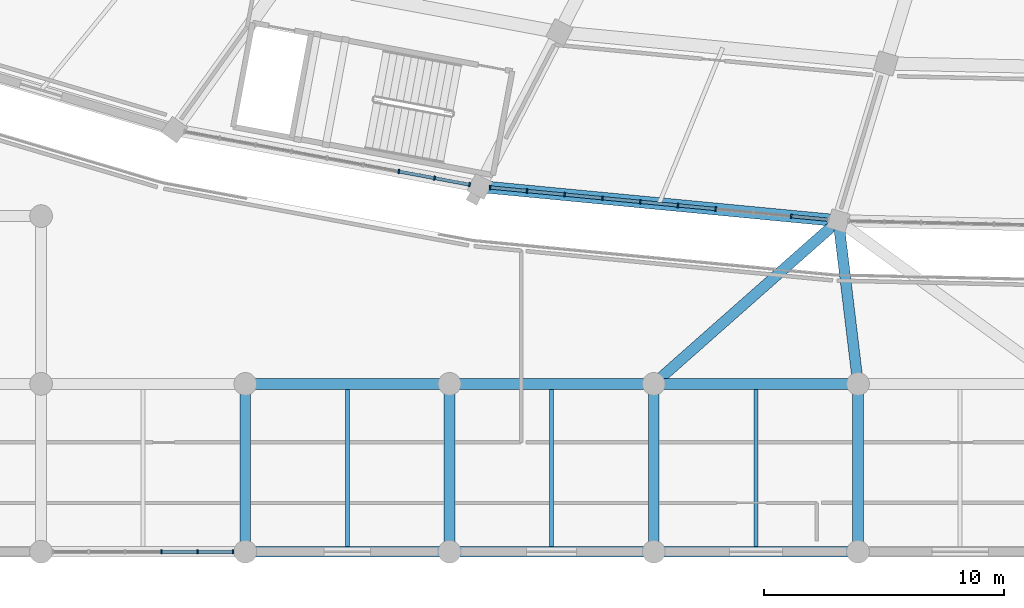
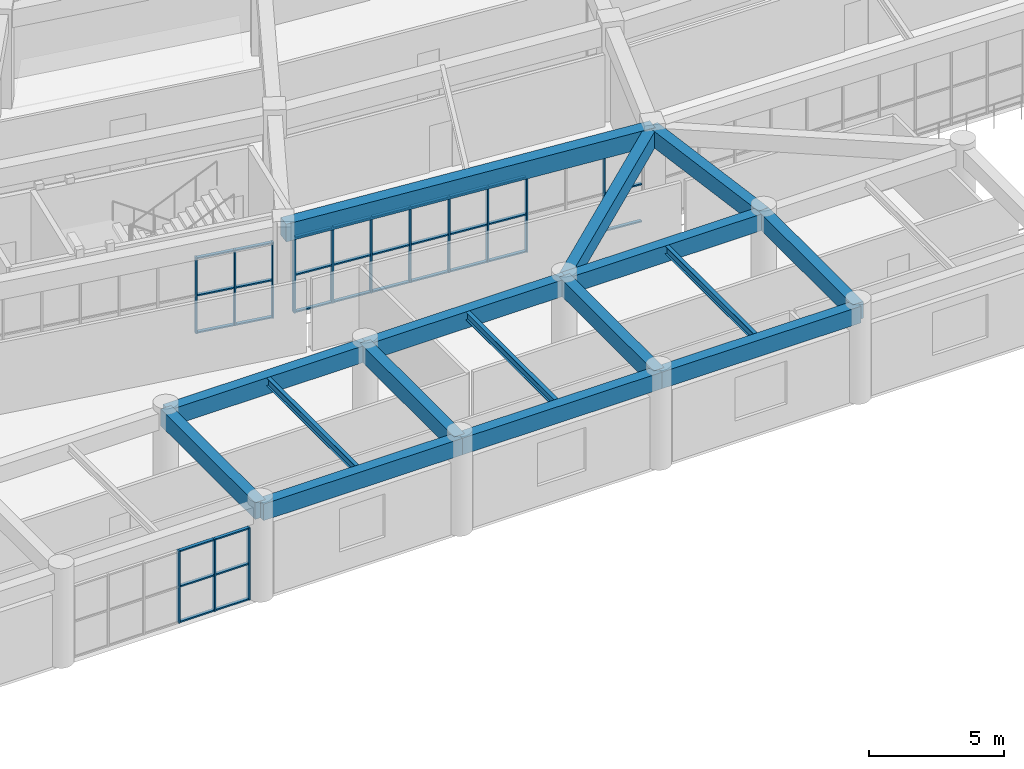
# One storey, part 20 of 145: 46 members, 16 beams, 3 elements without a shape of their own.
"""IFC4 building model written with IfcOpenShell, lengths in metres."""

from ifc_helpers import new_model, si_unit, direction, frame, origin, origin_2d, place, context, subcontext, project, spatial, rectangle, i_section, extrude, material, layer, layer_set, material_profile, profile_set, type_object, element, aggregate, save


model = new_model("IFC4")

# Units and contexts
model_context = context("Model", 3, precision=1e-05, world=origin(), true_north=direction((0.0, 1.0)))
body_context = subcontext(model_context, "Body", "Model", "MODEL_VIEW")
ifc_project = project(units=[si_unit("LENGTHUNIT", "METRE"), si_unit("AREAUNIT", "SQUARE_METRE"), si_unit("VOLUMEUNIT", "CUBIC_METRE"), si_unit("PLANEANGLEUNIT", "RADIAN"), si_unit("MASSUNIT", "GRAM", prefix="KILO")], contexts=[model_context])

# Site, building, storey
site_placement = place(None, origin())
site = spatial("IfcSite", under=ifc_project, at=site_placement, CompositionType="ELEMENT")
building_placement = place(site_placement, origin())
building = spatial("IfcBuilding", under=site, at=building_placement, Name="Mphavela Belvedere Stadium", CompositionType="ELEMENT")
storey_placement = place(building_placement, frame((0.0, 0.0, 10.199951171875)))
storey = spatial("IfcBuildingStorey", under=building, at=storey_placement, Name="L02", CompositionType="ELEMENT", Elevation=10.199951171875)

# Beams
ifc_material_1 = material(Name="Steel S355", Category="steel")
ifc_material_profile_1 = material_profile(ifc_material_1, i_section(OverallWidth=0.169921875, OverallDepth=0.360107421875, WebThickness=0.008056640625, FlangeThickness=0.0126953125, at=origin_2d()), Name="IPE 360")
ifc_profile_set_1 = profile_set([ifc_material_profile_1], Name="Steel S355")
beam_type_1 = type_object("IfcBeamType", Name="BM-JOIST-IPE360", PredefinedType="JOIST", material=ifc_profile_set_1)
for number, where, z_axis, x_axis, name in (
    (1, (72.407470703125, 0.22509765625, 4.06005859375), (0.0, 1.0, 0.0), (-1.0, 0.0, 0.0), "South Axial Triumphal Peristyle Portico secondary joist L02 9-1"),
    (2, (80.926025390625, 0.22509765625, 4.06005859375), (0.0, 1.0, 0.0), (-1.0, 0.0, 0.0), "South Axial Triumphal Peristyle Portico secondary joist L02 10-1"),
    (3, (89.444580078125, 0.22509765625, 4.06005859375), (0.0, 1.0, 0.0), (-1.0, 0.0, 0.0), "South Axial Triumphal Peristyle Portico secondary joist L02 11-1"),
):
    element("IfcBeam", number, at=place(storey_placement, frame(where, z_axis=z_axis, x_axis=x_axis)), inside=storey, type_object=beam_type_1, Name=name, PredefinedType="JOIST", context=body_context, shape_type="SweptSolid", body=[
        extrude(i_section(OverallWidth=0.169921875, OverallDepth=0.360107421875, WebThickness=0.008056640625, FlangeThickness=0.0126953125, at=origin_2d()), origin(), (0.0, 0.0, 1.0), 6.5498046875),
    ])
ifc_material_2 = material(Name="Concrete C40/50", Category="concrete")
ifc_material_profile_2 = material_profile(ifc_material_2, rectangle(XDim=0.449951171875, YDim=0.75, at=origin_2d()), Name="RC 450x750")
ifc_profile_set_2 = profile_set([ifc_material_profile_2], Name="Concrete C40/50")
beam_type_2 = type_object("IfcBeamType", Name="BM-RC450x750", PredefinedType="BEAM", material=ifc_profile_set_2)
beam_1_placement = place(storey_placement, frame((68.14794921875, 0.0, 3.864990234375), z_axis=(1.0, 0.0, 0.0), x_axis=(0.0, 1.0, 0.0)))
element("IfcBeam", 4, at=beam_1_placement, inside=storey, type_object=beam_type_2, Name="South Axial Triumphal Peristyle Portico entablature beam X L02 9-1", PredefinedType="BEAM", context=body_context, shape_type="SweptSolid", body=[
    extrude(rectangle(XDim=0.449951171875, YDim=0.75, at=origin_2d()), origin(), (0.0, 0.0, 1.0), 8.51904296875),
])
beam_2_placement = place(storey_placement, frame((68.14794921875, 0.0, 3.864990234375), z_axis=(0.0, 1.0, 0.0), x_axis=(-1.0, 0.0, 0.0)))
element("IfcBeam", 5, at=beam_2_placement, inside=storey, type_object=beam_type_2, Name="South Axial Triumphal Peristyle Portico entablature beam Y L02 9-1", PredefinedType="BEAM", context=body_context, shape_type="SweptSolid", body=[
    extrude(rectangle(XDim=0.449951171875, YDim=0.75, at=origin_2d()), origin(), (0.0, 0.0, 1.0), 7.0),
])
beam_3_placement = place(storey_placement, frame((68.14794921875, 7.0, 3.864990234375), z_axis=(1.0, 0.0, 0.0), x_axis=(0.0, 1.0, 0.0)))
element("IfcBeam", 6, at=beam_3_placement, inside=storey, type_object=beam_type_2, Name="South Axial Triumphal Peristyle Portico entablature beam X L02 9-2", PredefinedType="BEAM", context=body_context, shape_type="SweptSolid", body=[
    extrude(rectangle(XDim=0.449951171875, YDim=0.75, at=origin_2d()), origin(), (0.0, 0.0, 1.0), 8.51904296875),
])
beam_4_placement = place(storey_placement, frame((76.6669921875, 0.0, 3.864990234375), z_axis=(1.0, 0.0, 0.0), x_axis=(0.0, 1.0, 0.0)))
element("IfcBeam", 7, at=beam_4_placement, inside=storey, type_object=beam_type_2, Name="South Axial Triumphal Peristyle Portico entablature beam X L02 10-1", PredefinedType="BEAM", context=body_context, shape_type="SweptSolid", body=[
    extrude(rectangle(XDim=0.449951171875, YDim=0.75, at=origin_2d()), origin(), (0.0, 0.0, 1.0), 8.51806640625),
])
beam_5_placement = place(storey_placement, frame((76.6669921875, 0.0, 3.864990234375), z_axis=(0.0, 1.0, 0.0), x_axis=(-1.0, 0.0, 0.0)))
element("IfcBeam", 8, at=beam_5_placement, inside=storey, type_object=beam_type_2, Name="South Axial Triumphal Peristyle Portico entablature beam Y L02 10-1", PredefinedType="BEAM", context=body_context, shape_type="SweptSolid", body=[
    extrude(rectangle(XDim=0.449951171875, YDim=0.75, at=origin_2d()), origin(), (0.0, 0.0, 1.0), 7.0),
])
beam_6_placement = place(storey_placement, frame((76.6669921875, 7.0, 3.864990234375), z_axis=(1.0, 0.0, 0.0), x_axis=(0.0, 1.0, 0.0)))
element("IfcBeam", 9, at=beam_6_placement, inside=storey, type_object=beam_type_2, Name="South Axial Triumphal Peristyle Portico entablature beam X L02 10-2", PredefinedType="BEAM", context=body_context, shape_type="SweptSolid", body=[
    extrude(rectangle(XDim=0.449951171875, YDim=0.75, at=origin_2d()), origin(), (0.0, 0.0, 1.0), 8.51806640625),
])
beam_7_placement = place(storey_placement, frame((85.18505859375, 0.0, 3.864990234375), z_axis=(1.0, 0.0, 0.0), x_axis=(0.0, 1.0, 0.0)))
element("IfcBeam", 10, at=beam_7_placement, inside=storey, type_object=beam_type_2, Name="South Axial Triumphal Peristyle Portico entablature beam X L02 11-1", PredefinedType="BEAM", context=body_context, shape_type="SweptSolid", body=[
    extrude(rectangle(XDim=0.449951171875, YDim=0.75, at=origin_2d()), origin(), (0.0, 0.0, 1.0), 8.51904296875),
])
beam_8_placement = place(storey_placement, frame((85.18505859375, 0.0, 3.864990234375), z_axis=(0.0, 1.0, 0.0), x_axis=(-1.0, 0.0, 0.0)))
element("IfcBeam", 11, at=beam_8_placement, inside=storey, type_object=beam_type_2, Name="South Axial Triumphal Peristyle Portico entablature beam Y L02 11-1", PredefinedType="BEAM", context=body_context, shape_type="SweptSolid", body=[
    extrude(rectangle(XDim=0.449951171875, YDim=0.75, at=origin_2d()), origin(), (0.0, 0.0, 1.0), 7.0),
])
beam_9_placement = place(storey_placement, frame((85.18505859375, 7.0, 3.864990234375), z_axis=(1.0, 0.0, 0.0), x_axis=(0.0, 1.0, 0.0)))
element("IfcBeam", 12, at=beam_9_placement, inside=storey, type_object=beam_type_2, Name="South Axial Triumphal Peristyle Portico entablature beam X L02 11-2", PredefinedType="BEAM", context=body_context, shape_type="SweptSolid", body=[
    extrude(rectangle(XDim=0.449951171875, YDim=0.75, at=origin_2d()), origin(), (0.0, 0.0, 1.0), 8.51904296875),
])
beam_10_placement = place(storey_placement, frame((93.7041015625, 0.0, 3.864990234375), z_axis=(0.0, 1.0, 0.0), x_axis=(-1.0, 0.0, 0.0)))
element("IfcBeam", 13, at=beam_10_placement, inside=storey, type_object=beam_type_2, Name="South Axial Triumphal Peristyle Portico entablature beam Y L02 12-1", PredefinedType="BEAM", context=body_context, shape_type="SweptSolid", body=[
    extrude(rectangle(XDim=0.449951171875, YDim=0.75, at=origin_2d()), origin(), (0.0, 0.0, 1.0), 7.0),
])
beam_11_placement = place(storey_placement, frame((93.7041015625, 7.0, 3.864990234375), z_axis=(-0.119413444072, 0.99284461492, 0.0), x_axis=(-0.99284461492, -0.119413444072, 0.0)))
element("IfcBeam", 14, at=beam_11_placement, inside=storey, type_object=beam_type_2, Name="South Axial Triumphal Peristyle Portico bowl link girder L02-3", PredefinedType="BEAM", context=body_context, shape_type="SweptSolid", body=[
    extrude(rectangle(XDim=0.449951171875, YDim=0.75, at=origin_2d()), origin(), (0.0, 0.0, 1.0), 6.855224609375),
])
beam_12_placement = place(storey_placement, frame((85.18505859375, 7.0, 3.864990234375), z_axis=(0.749275353375, 0.662258593621, 0.0), x_axis=(-0.662258593621, 0.749275353375, 0.0)))
element("IfcBeam", 15, at=beam_12_placement, inside=storey, type_object=beam_type_2, Name="South Axial Triumphal Peristyle Portico bowl link girder L02-5", PredefinedType="BEAM", context=body_context, shape_type="SweptSolid", body=[
    extrude(rectangle(XDim=0.449951171875, YDim=0.75, at=origin_2d()), origin(), (0.0, 0.0, 1.0), 10.277099609375),
])
ifc_material_3 = material(Name="Concrete C40/50", Category="concrete")
ifc_material_profile_3 = material_profile(ifc_material_3, rectangle(XDim=0.5, YDim=0.800048828125, at=origin_2d()), Name="RC 500x800")
ifc_profile_set_3 = profile_set([ifc_material_profile_3], Name="Concrete C40/50")
beam_type_3 = type_object("IfcBeamType", Name="BM-SPANDREL-800", PredefinedType="SPANDREL", material=ifc_profile_set_3)
beam_13_placement = place(storey_placement, frame((77.92724609375, 15.232666015625, 3.85009765625), z_axis=(0.995483415661, -0.094935605244, 0.0), x_axis=(0.094935605244, 0.995483415661, 0.0)))
element("IfcBeam", 16, at=beam_13_placement, inside=storey, type_object=beam_type_3, Name="Circumferential girder L02 R4-35", PredefinedType="SPANDREL", context=body_context, shape_type="SweptSolid", body=[
    extrude(rectangle(XDim=0.5, YDim=0.800048828125, at=origin_2d()), origin(), (0.0, 0.0, 1.0), 15.026123046875),
])

# Curtain wall, members
ifc_material_4 = material(Name="Anodised bronze unitised curtain wall framing")
ifc_layer_1 = layer(ifc_material_4, 0.18505859375)
ifc_layer_set_1 = layer_set([ifc_layer_1], Name="Anodised bronze unitised curtain wall framing")
curtain_wall_type_1 = type_object("IfcCurtainWallType", Name="CW-UNIT-02", PredefinedType="USERDEFINED", material=ifc_layer_set_1)
curtain_wall_1_placement = place(storey_placement, origin())
curtain_wall_1 = element("IfcCurtainWall", 17, at=curtain_wall_1_placement, inside=storey, type_object=curtain_wall_type_1, Name="Belvedere colonnade curtain wall L02-34", ObjectType="UNITISED CURTAIN WALL", PredefinedType="USERDEFINED")
ifc_material_5 = material(Name="Anodised bronze extruded aluminium", Category="aluminium")
ifc_material_profile_4 = material_profile(ifc_material_5, rectangle(XDim=0.179931640625, YDim=0.06494140625, at=origin_2d()), Name="CW-MUL 180x65")
ifc_profile_set_4 = profile_set([ifc_material_profile_4], Name="Anodised bronze extruded aluminium")
member_type_1 = type_object("IfcMemberType", Name="CWM-180x65", PredefinedType="MULLION", material=ifc_profile_set_4)
member_1_placement = place(storey_placement, frame((74.549560546875, 15.861572265625, 0.0), z_axis=(0.0, 0.0, 1.0), x_axis=(0.1830849431, 0.983097097753, 0.0)))
member_1 = element("IfcMember", 18, at=member_1_placement, type_object=member_type_1, Name="CW-02 mullion 7", PredefinedType="MULLION", context=body_context, shape_type="SweptSolid", body=[
    extrude(rectangle(XDim=0.179931640625, YDim=0.06494140625, at=origin_2d()), origin(), (0.0, 0.0, 1.0), 3.420166015625),
])
member_2_placement = place(storey_placement, frame((76.042724609375, 15.58349609375, 0.0), z_axis=(0.0, 0.0, 1.0), x_axis=(0.1830849431, 0.983097097753, 0.0)))
member_2 = element("IfcMember", 19, at=member_2_placement, type_object=member_type_1, Name="CW-02 mullion 8", PredefinedType="MULLION", context=body_context, shape_type="SweptSolid", body=[
    extrude(rectangle(XDim=0.179931640625, YDim=0.06494140625, at=origin_2d()), origin(), (0.0, 0.0, 1.0), 3.420166015625),
])
member_3_placement = place(storey_placement, frame((77.50390625, 15.3115234375, 0.0), z_axis=(0.0, 0.0, 1.0), x_axis=(0.1830849431, 0.983097097753, 0.0)))
member_3 = element("IfcMember", 20, at=member_3_placement, type_object=member_type_1, Name="CW-02 mullion 9", PredefinedType="MULLION", context=body_context, shape_type="SweptSolid", body=[
    extrude(rectangle(XDim=0.179931640625, YDim=0.06494140625, at=origin_2d()), origin(), (0.0, 0.0, 1.0), 3.420166015625),
])

ifc_material_6 = material(Name="Anodised bronze unitised curtain wall framing")
ifc_layer_2 = layer(ifc_material_6, 0.18994140625)
ifc_layer_set_2 = layer_set([ifc_layer_2], Name="Anodised bronze unitised curtain wall framing")
curtain_wall_type_2 = type_object("IfcCurtainWallType", Name="CW-UNIT-03", PredefinedType="USERDEFINED", material=ifc_layer_set_2)
curtain_wall_2_placement = place(storey_placement, origin())
curtain_wall_2 = element("IfcCurtainWall", 21, at=curtain_wall_2_placement, inside=storey, type_object=curtain_wall_type_2, Name="Belvedere colonnade curtain wall L02-35", ObjectType="UNITISED CURTAIN WALL", PredefinedType="USERDEFINED")
member_4_placement = place(storey_placement, frame((78.355712890625, 15.191650390625, 0.0), z_axis=(0.0, 0.0, 1.0), x_axis=(0.094925825406, 0.99548434828, 0.0)))
member_4 = element("IfcMember", 22, at=member_4_placement, type_object=member_type_1, Name="CW-03 mullion 1", PredefinedType="MULLION", context=body_context, shape_type="SweptSolid", body=[
    extrude(rectangle(XDim=0.179931640625, YDim=0.06494140625, at=origin_2d()), origin(), (0.0, 0.0, 1.0), 3.420166015625),
])
member_5_placement = place(storey_placement, frame((79.8974609375, 15.044677734375, 0.0), z_axis=(0.0, 0.0, 1.0), x_axis=(0.094925825406, 0.99548434828, 0.0)))
member_5 = element("IfcMember", 23, at=member_5_placement, type_object=member_type_1, Name="CW-03 mullion 2", PredefinedType="MULLION", context=body_context, shape_type="SweptSolid", body=[
    extrude(rectangle(XDim=0.179931640625, YDim=0.06494140625, at=origin_2d()), origin(), (0.0, 0.0, 1.0), 3.420166015625),
])
member_6_placement = place(storey_placement, frame((81.471435546875, 14.89453125, 0.0), z_axis=(0.0, 0.0, 1.0), x_axis=(0.094925825406, 0.99548434828, 0.0)))
member_6 = element("IfcMember", 24, at=member_6_placement, type_object=member_type_1, Name="CW-03 mullion 3", PredefinedType="MULLION", context=body_context, shape_type="SweptSolid", body=[
    extrude(rectangle(XDim=0.179931640625, YDim=0.06494140625, at=origin_2d()), origin(), (0.0, 0.0, 1.0), 3.420166015625),
])
member_7_placement = place(storey_placement, frame((83.04541015625, 14.74462890625, 0.0), z_axis=(0.0, 0.0, 1.0), x_axis=(0.094925825406, 0.99548434828, 0.0)))
member_7 = element("IfcMember", 25, at=member_7_placement, type_object=member_type_1, Name="CW-03 mullion 4", PredefinedType="MULLION", context=body_context, shape_type="SweptSolid", body=[
    extrude(rectangle(XDim=0.179931640625, YDim=0.06494140625, at=origin_2d()), origin(), (0.0, 0.0, 1.0), 3.420166015625),
])
member_8_placement = place(storey_placement, frame((84.619384765625, 14.594482421875, 0.0), z_axis=(0.0, 0.0, 1.0), x_axis=(0.094925825406, 0.99548434828, 0.0)))
member_8 = element("IfcMember", 26, at=member_8_placement, type_object=member_type_1, Name="CW-03 mullion 5", PredefinedType="MULLION", context=body_context, shape_type="SweptSolid", body=[
    extrude(rectangle(XDim=0.179931640625, YDim=0.06494140625, at=origin_2d()), origin(), (0.0, 0.0, 1.0), 3.420166015625),
])
member_9_placement = place(storey_placement, frame((86.193359375, 14.4443359375, 0.0), z_axis=(0.0, 0.0, 1.0), x_axis=(0.094925825406, 0.99548434828, 0.0)))
member_9 = element("IfcMember", 27, at=member_9_placement, type_object=member_type_1, Name="CW-03 mullion 6", PredefinedType="MULLION", context=body_context, shape_type="SweptSolid", body=[
    extrude(rectangle(XDim=0.179931640625, YDim=0.06494140625, at=origin_2d()), origin(), (0.0, 0.0, 1.0), 3.420166015625),
])
member_10_placement = place(storey_placement, frame((87.767333984375, 14.294189453125, 0.0), z_axis=(0.0, 0.0, 1.0), x_axis=(0.094925825406, 0.99548434828, 0.0)))
member_10 = element("IfcMember", 28, at=member_10_placement, type_object=member_type_1, Name="CW-03 mullion 7", PredefinedType="MULLION", context=body_context, shape_type="SweptSolid", body=[
    extrude(rectangle(XDim=0.179931640625, YDim=0.06494140625, at=origin_2d()), origin(), (0.0, 0.0, 1.0), 3.420166015625),
])
member_11_placement = place(storey_placement, frame((90.915283203125, 13.994140625, 0.0), z_axis=(0.0, 0.0, 1.0), x_axis=(0.094925825406, 0.99548434828, 0.0)))
member_11 = element("IfcMember", 29, at=member_11_placement, type_object=member_type_1, Name="CW-03 mullion 9", PredefinedType="MULLION", context=body_context, shape_type="SweptSolid", body=[
    extrude(rectangle(XDim=0.179931640625, YDim=0.06494140625, at=origin_2d()), origin(), (0.0, 0.0, 1.0), 3.420166015625),
])

curtain_wall_3_placement = place(storey_placement, origin())
curtain_wall_3 = element("IfcCurtainWall", 30, at=curtain_wall_3_placement, inside=storey, type_object=curtain_wall_type_1, Name="South Axial Triumphal Peristyle Portico gallery curtain wall L02-08", ObjectType="UNITISED CURTAIN WALL", PredefinedType="USERDEFINED")
member_12_placement = place(storey_placement, frame((67.642578125, 0.0, 0.0), z_axis=(0.0, 0.0, 1.0), x_axis=(0.0, -1.0, 0.0)))
member_12 = element("IfcMember", 31, at=member_12_placement, type_object=member_type_1, Name="CW-02 mullion 1", PredefinedType="MULLION", context=body_context, shape_type="SweptSolid", body=[
    extrude(rectangle(XDim=0.179931640625, YDim=0.06494140625, at=origin_2d()), origin(), (0.0, 0.0, 1.0), 3.260009765625),
])
member_13_placement = place(storey_placement, frame((66.16064453125, 0.0, 0.0), z_axis=(0.0, 0.0, 1.0), x_axis=(0.0, -1.0, 0.0)))
member_13 = element("IfcMember", 32, at=member_13_placement, type_object=member_type_1, Name="CW-02 mullion 2", PredefinedType="MULLION", context=body_context, shape_type="SweptSolid", body=[
    extrude(rectangle(XDim=0.179931640625, YDim=0.06494140625, at=origin_2d()), origin(), (0.0, 0.0, 1.0), 3.260009765625),
])
member_14_placement = place(storey_placement, frame((64.646240234375, 0.0, 0.0), z_axis=(0.0, 0.0, 1.0), x_axis=(0.0, -1.0, 0.0)))
member_14 = element("IfcMember", 33, at=member_14_placement, type_object=member_type_1, Name="CW-02 mullion 3", PredefinedType="MULLION", context=body_context, shape_type="SweptSolid", body=[
    extrude(rectangle(XDim=0.179931640625, YDim=0.06494140625, at=origin_2d()), origin(), (0.0, 0.0, 1.0), 3.260009765625),
])

# Member
ifc_material_7 = material(Name="Anodised bronze extruded aluminium", Category="aluminium")
ifc_material_profile_5 = material_profile(ifc_material_7, rectangle(XDim=0.139892578125, YDim=0.06005859375, at=origin_2d()), Name="CW-TRN 140x60")
ifc_profile_set_5 = profile_set([ifc_material_profile_5], Name="Anodised bronze extruded aluminium")
member_type_2 = type_object("IfcMemberType", Name="CWT-140x60", PredefinedType="USERDEFINED", material=ifc_profile_set_5)
member_15_placement = place(storey_placement, frame((74.581298828125, 15.855712890625, 0.030029296875), z_axis=(0.983108977499, -0.18302114184, 0.0), x_axis=(0.18302114184, 0.983108977499, 0.0)))
member_15 = element("IfcMember", 34, at=member_15_placement, type_object=member_type_2, Name="CW-02 transom 7.1", ObjectType="TRANSOM", PredefinedType="USERDEFINED", context=body_context, shape_type="SweptSolid", body=[
    extrude(rectangle(XDim=0.139892578125, YDim=0.06005859375, at=origin_2d()), origin(), (0.0, 0.0, 1.0), 1.4541015625),
])

member_16_placement = place(storey_placement, frame((74.581298828125, 15.855712890625, 1.7099609375), z_axis=(0.983108977499, -0.18302114184, 0.0), x_axis=(0.18302114184, 0.983108977499, 0.0)))
member_16 = element("IfcMember", 35, at=member_16_placement, type_object=member_type_2, Name="CW-02 transom 7.2", ObjectType="TRANSOM", PredefinedType="USERDEFINED", context=body_context, shape_type="SweptSolid", body=[
    extrude(rectangle(XDim=0.139892578125, YDim=0.06005859375, at=origin_2d()), origin(), (0.0, 0.0, 1.0), 1.4541015625),
])

member_17_placement = place(storey_placement, frame((74.581298828125, 15.855712890625, 3.39013671875), z_axis=(0.983108977499, -0.18302114184, 0.0), x_axis=(0.18302114184, 0.983108977499, 0.0)))
member_17 = element("IfcMember", 36, at=member_17_placement, type_object=member_type_2, Name="CW-02 transom 7.3", ObjectType="TRANSOM", PredefinedType="USERDEFINED", context=body_context, shape_type="SweptSolid", body=[
    extrude(rectangle(XDim=0.139892578125, YDim=0.06005859375, at=origin_2d()), origin(), (0.0, 0.0, 1.0), 1.4541015625),
])

member_18_placement = place(storey_placement, frame((76.07470703125, 15.57763671875, 0.030029296875), z_axis=(0.98309123567, -0.183116417477, 0.0), x_axis=(0.183116417477, 0.98309123567, 0.0)))
member_18 = element("IfcMember", 37, at=member_18_placement, type_object=member_type_2, Name="CW-02 transom 8.1", ObjectType="TRANSOM", PredefinedType="USERDEFINED", context=body_context, shape_type="SweptSolid", body=[
    extrude(rectangle(XDim=0.139892578125, YDim=0.06005859375, at=origin_2d()), origin(), (0.0, 0.0, 1.0), 1.421142578125),
])

member_19_placement = place(storey_placement, frame((76.07470703125, 15.57763671875, 1.7099609375), z_axis=(0.98309123567, -0.183116417477, 0.0), x_axis=(0.183116417477, 0.98309123567, 0.0)))
member_19 = element("IfcMember", 38, at=member_19_placement, type_object=member_type_2, Name="CW-02 transom 8.2", ObjectType="TRANSOM", PredefinedType="USERDEFINED", context=body_context, shape_type="SweptSolid", body=[
    extrude(rectangle(XDim=0.139892578125, YDim=0.06005859375, at=origin_2d()), origin(), (0.0, 0.0, 1.0), 1.421142578125),
])

member_20_placement = place(storey_placement, frame((76.07470703125, 15.57763671875, 3.39013671875), z_axis=(0.98309123567, -0.183116417477, 0.0), x_axis=(0.183116417477, 0.98309123567, 0.0)))
member_20 = element("IfcMember", 39, at=member_20_placement, type_object=member_type_2, Name="CW-02 transom 8.3", ObjectType="TRANSOM", PredefinedType="USERDEFINED", context=body_context, shape_type="SweptSolid", body=[
    extrude(rectangle(XDim=0.139892578125, YDim=0.06005859375, at=origin_2d()), origin(), (0.0, 0.0, 1.0), 1.421142578125),
])

aggregate(curtain_wall_1, [member_1, member_2, member_3, member_15, member_16, member_17, member_18, member_19, member_20])

member_21_placement = place(storey_placement, frame((78.38818359375, 15.188720703125, 0.030029296875), z_axis=(0.995481408525, -0.094956649482, 0.0), x_axis=(0.094956649482, 0.995481408525, 0.0)))
member_21 = element("IfcMember", 40, at=member_21_placement, type_object=member_type_2, Name="CW-03 transom 1.1", ObjectType="TRANSOM", PredefinedType="USERDEFINED", context=body_context, shape_type="SweptSolid", body=[
    extrude(rectangle(XDim=0.139892578125, YDim=0.06005859375, at=origin_2d()), origin(), (0.0, 0.0, 1.0), 1.4833984375),
])

member_22_placement = place(storey_placement, frame((78.38818359375, 15.188720703125, 1.7099609375), z_axis=(0.995481408525, -0.094956649482, 0.0), x_axis=(0.094956649482, 0.995481408525, 0.0)))
member_22 = element("IfcMember", 41, at=member_22_placement, type_object=member_type_2, Name="CW-03 transom 1.2", ObjectType="TRANSOM", PredefinedType="USERDEFINED", context=body_context, shape_type="SweptSolid", body=[
    extrude(rectangle(XDim=0.139892578125, YDim=0.06005859375, at=origin_2d()), origin(), (0.0, 0.0, 1.0), 1.4833984375),
])

member_23_placement = place(storey_placement, frame((78.38818359375, 15.188720703125, 3.39013671875), z_axis=(0.995481408525, -0.094956649482, 0.0), x_axis=(0.094956649482, 0.995481408525, 0.0)))
member_23 = element("IfcMember", 42, at=member_23_placement, type_object=member_type_2, Name="CW-03 transom 1.3", ObjectType="TRANSOM", PredefinedType="USERDEFINED", context=body_context, shape_type="SweptSolid", body=[
    extrude(rectangle(XDim=0.139892578125, YDim=0.06005859375, at=origin_2d()), origin(), (0.0, 0.0, 1.0), 1.4833984375),
])

member_24_placement = place(storey_placement, frame((79.9296875, 15.041748046875, 0.030029296875), z_axis=(0.995476636203, -0.095006666994, 0.0), x_axis=(0.095006666994, 0.995476636203, 0.0)))
member_24 = element("IfcMember", 43, at=member_24_placement, type_object=member_type_2, Name="CW-03 transom 2.1", ObjectType="TRANSOM", PredefinedType="USERDEFINED", context=body_context, shape_type="SweptSolid", body=[
    extrude(rectangle(XDim=0.139892578125, YDim=0.06005859375, at=origin_2d()), origin(), (0.0, 0.0, 1.0), 1.51611328125),
])

member_25_placement = place(storey_placement, frame((79.9296875, 15.041748046875, 1.7099609375), z_axis=(0.995476636203, -0.095006666994, 0.0), x_axis=(0.095006666994, 0.995476636203, 0.0)))
member_25 = element("IfcMember", 44, at=member_25_placement, type_object=member_type_2, Name="CW-03 transom 2.2", ObjectType="TRANSOM", PredefinedType="USERDEFINED", context=body_context, shape_type="SweptSolid", body=[
    extrude(rectangle(XDim=0.139892578125, YDim=0.06005859375, at=origin_2d()), origin(), (0.0, 0.0, 1.0), 1.51611328125),
])

member_26_placement = place(storey_placement, frame((79.9296875, 15.041748046875, 3.39013671875), z_axis=(0.995476636203, -0.095006666994, 0.0), x_axis=(0.095006666994, 0.995476636203, 0.0)))
member_26 = element("IfcMember", 45, at=member_26_placement, type_object=member_type_2, Name="CW-03 transom 2.3", ObjectType="TRANSOM", PredefinedType="USERDEFINED", context=body_context, shape_type="SweptSolid", body=[
    extrude(rectangle(XDim=0.139892578125, YDim=0.06005859375, at=origin_2d()), origin(), (0.0, 0.0, 1.0), 1.51611328125),
])

member_27_placement = place(storey_placement, frame((81.503662109375, 14.8916015625, 0.030029296875), z_axis=(0.995476636203, -0.095006666994, 0.0), x_axis=(0.095006666994, 0.995476636203, 0.0)))
member_27 = element("IfcMember", 46, at=member_27_placement, type_object=member_type_2, Name="CW-03 transom 3.1", ObjectType="TRANSOM", PredefinedType="USERDEFINED", context=body_context, shape_type="SweptSolid", body=[
    extrude(rectangle(XDim=0.139892578125, YDim=0.06005859375, at=origin_2d()), origin(), (0.0, 0.0, 1.0), 1.51611328125),
])

member_28_placement = place(storey_placement, frame((81.503662109375, 14.8916015625, 1.7099609375), z_axis=(0.995476636203, -0.095006666994, 0.0), x_axis=(0.095006666994, 0.995476636203, 0.0)))
member_28 = element("IfcMember", 47, at=member_28_placement, type_object=member_type_2, Name="CW-03 transom 3.2", ObjectType="TRANSOM", PredefinedType="USERDEFINED", context=body_context, shape_type="SweptSolid", body=[
    extrude(rectangle(XDim=0.139892578125, YDim=0.06005859375, at=origin_2d()), origin(), (0.0, 0.0, 1.0), 1.51611328125),
])

member_29_placement = place(storey_placement, frame((81.503662109375, 14.8916015625, 3.39013671875), z_axis=(0.995476636203, -0.095006666994, 0.0), x_axis=(0.095006666994, 0.995476636203, 0.0)))
member_29 = element("IfcMember", 48, at=member_29_placement, type_object=member_type_2, Name="CW-03 transom 3.3", ObjectType="TRANSOM", PredefinedType="USERDEFINED", context=body_context, shape_type="SweptSolid", body=[
    extrude(rectangle(XDim=0.139892578125, YDim=0.06005859375, at=origin_2d()), origin(), (0.0, 0.0, 1.0), 1.51611328125),
])

member_30_placement = place(storey_placement, frame((83.07763671875, 14.741455078125, 0.030029296875), z_axis=(0.995476636203, -0.095006666994, 0.0), x_axis=(0.095006666994, 0.995476636203, 0.0)))
member_30 = element("IfcMember", 49, at=member_30_placement, type_object=member_type_2, Name="CW-03 transom 4.1", ObjectType="TRANSOM", PredefinedType="USERDEFINED", context=body_context, shape_type="SweptSolid", body=[
    extrude(rectangle(XDim=0.139892578125, YDim=0.06005859375, at=origin_2d()), origin(), (0.0, 0.0, 1.0), 1.51611328125),
])

member_31_placement = place(storey_placement, frame((83.07763671875, 14.741455078125, 1.7099609375), z_axis=(0.995476636203, -0.095006666994, 0.0), x_axis=(0.095006666994, 0.995476636203, 0.0)))
member_31 = element("IfcMember", 50, at=member_31_placement, type_object=member_type_2, Name="CW-03 transom 4.2", ObjectType="TRANSOM", PredefinedType="USERDEFINED", context=body_context, shape_type="SweptSolid", body=[
    extrude(rectangle(XDim=0.139892578125, YDim=0.06005859375, at=origin_2d()), origin(), (0.0, 0.0, 1.0), 1.51611328125),
])

member_32_placement = place(storey_placement, frame((83.07763671875, 14.741455078125, 3.39013671875), z_axis=(0.995476636203, -0.095006666994, 0.0), x_axis=(0.095006666994, 0.995476636203, 0.0)))
member_32 = element("IfcMember", 51, at=member_32_placement, type_object=member_type_2, Name="CW-03 transom 4.3", ObjectType="TRANSOM", PredefinedType="USERDEFINED", context=body_context, shape_type="SweptSolid", body=[
    extrude(rectangle(XDim=0.139892578125, YDim=0.06005859375, at=origin_2d()), origin(), (0.0, 0.0, 1.0), 1.51611328125),
])

member_33_placement = place(storey_placement, frame((84.651611328125, 14.59130859375, 0.030029296875), z_axis=(0.995491853201, -0.094847088569, 0.0), x_axis=(0.094847088569, 0.995491853201, 0.0)))
member_33 = element("IfcMember", 52, at=member_33_placement, type_object=member_type_2, Name="CW-03 transom 5.1", ObjectType="TRANSOM", PredefinedType="USERDEFINED", context=body_context, shape_type="SweptSolid", body=[
    extrude(rectangle(XDim=0.139892578125, YDim=0.06005859375, at=origin_2d()), origin(), (0.0, 0.0, 1.0), 1.51611328125),
])

member_34_placement = place(storey_placement, frame((84.651611328125, 14.59130859375, 1.7099609375), z_axis=(0.995491853201, -0.094847088569, 0.0), x_axis=(0.094847088569, 0.995491853201, 0.0)))
member_34 = element("IfcMember", 53, at=member_34_placement, type_object=member_type_2, Name="CW-03 transom 5.2", ObjectType="TRANSOM", PredefinedType="USERDEFINED", context=body_context, shape_type="SweptSolid", body=[
    extrude(rectangle(XDim=0.139892578125, YDim=0.06005859375, at=origin_2d()), origin(), (0.0, 0.0, 1.0), 1.51611328125),
])

member_35_placement = place(storey_placement, frame((84.651611328125, 14.59130859375, 3.39013671875), z_axis=(0.995491853201, -0.094847088569, 0.0), x_axis=(0.094847088569, 0.995491853201, 0.0)))
member_35 = element("IfcMember", 54, at=member_35_placement, type_object=member_type_2, Name="CW-03 transom 5.3", ObjectType="TRANSOM", PredefinedType="USERDEFINED", context=body_context, shape_type="SweptSolid", body=[
    extrude(rectangle(XDim=0.139892578125, YDim=0.06005859375, at=origin_2d()), origin(), (0.0, 0.0, 1.0), 1.51611328125),
])

member_36_placement = place(storey_placement, frame((86.2255859375, 14.441162109375, 0.030029296875), z_axis=(0.995491853201, -0.094847088569, 0.0), x_axis=(0.094847088569, 0.995491853201, 0.0)))
member_36 = element("IfcMember", 55, at=member_36_placement, type_object=member_type_2, Name="CW-03 transom 6.1", ObjectType="TRANSOM", PredefinedType="USERDEFINED", context=body_context, shape_type="SweptSolid", body=[
    extrude(rectangle(XDim=0.139892578125, YDim=0.06005859375, at=origin_2d()), origin(), (0.0, 0.0, 1.0), 1.51611328125),
])

member_37_placement = place(storey_placement, frame((86.2255859375, 14.441162109375, 1.7099609375), z_axis=(0.995491853201, -0.094847088569, 0.0), x_axis=(0.094847088569, 0.995491853201, 0.0)))
member_37 = element("IfcMember", 56, at=member_37_placement, type_object=member_type_2, Name="CW-03 transom 6.2", ObjectType="TRANSOM", PredefinedType="USERDEFINED", context=body_context, shape_type="SweptSolid", body=[
    extrude(rectangle(XDim=0.139892578125, YDim=0.06005859375, at=origin_2d()), origin(), (0.0, 0.0, 1.0), 1.51611328125),
])

member_38_placement = place(storey_placement, frame((86.2255859375, 14.441162109375, 3.39013671875), z_axis=(0.995491853201, -0.094847088569, 0.0), x_axis=(0.094847088569, 0.995491853201, 0.0)))
member_38 = element("IfcMember", 57, at=member_38_placement, type_object=member_type_2, Name="CW-03 transom 6.3", ObjectType="TRANSOM", PredefinedType="USERDEFINED", context=body_context, shape_type="SweptSolid", body=[
    extrude(rectangle(XDim=0.139892578125, YDim=0.06005859375, at=origin_2d()), origin(), (0.0, 0.0, 1.0), 1.51611328125),
])

member_39_placement = place(storey_placement, frame((90.947509765625, 13.990966796875, 0.030029296875), z_axis=(0.995482892046, -0.094941095655, 0.0), x_axis=(0.094941095655, 0.995482892046, 0.0)))
member_39 = element("IfcMember", 58, at=member_39_placement, type_object=member_type_2, Name="CW-03 transom 9.1", ObjectType="TRANSOM", PredefinedType="USERDEFINED", context=body_context, shape_type="SweptSolid", body=[
    extrude(rectangle(XDim=0.139892578125, YDim=0.06005859375, at=origin_2d()), origin(), (0.0, 0.0, 1.0), 1.483642578125),
])

member_40_placement = place(storey_placement, frame((90.947509765625, 13.990966796875, 1.7099609375), z_axis=(0.995482892046, -0.094941095655, 0.0), x_axis=(0.094941095655, 0.995482892046, 0.0)))
member_40 = element("IfcMember", 59, at=member_40_placement, type_object=member_type_2, Name="CW-03 transom 9.2", ObjectType="TRANSOM", PredefinedType="USERDEFINED", context=body_context, shape_type="SweptSolid", body=[
    extrude(rectangle(XDim=0.139892578125, YDim=0.06005859375, at=origin_2d()), origin(), (0.0, 0.0, 1.0), 1.483642578125),
])

aggregate(curtain_wall_2, [member_4, member_5, member_6, member_7, member_8, member_9, member_10, member_11, member_21, member_22, member_23, member_24, member_25, member_26, member_27, member_28, member_29, member_30, member_31, member_32, member_33, member_34, member_35, member_36, member_37, member_38, member_39, member_40])

member_41_placement = place(storey_placement, frame((67.610107421875, 0.0, 0.030029296875), z_axis=(-1.0, 0.0, 0.0), x_axis=(0.0, -1.0, 0.0)))
member_41 = element("IfcMember", 60, at=member_41_placement, type_object=member_type_2, Name="CW-02 transom 1.1", ObjectType="TRANSOM", PredefinedType="USERDEFINED", context=body_context, shape_type="SweptSolid", body=[
    extrude(rectangle(XDim=0.139892578125, YDim=0.06005859375, at=origin_2d()), origin(), (0.0, 0.0, 1.0), 1.4169921875),
])

member_42_placement = place(storey_placement, frame((67.610107421875, 0.0, 1.630126953125), z_axis=(-1.0, 0.0, 0.0), x_axis=(0.0, -1.0, 0.0)))
member_42 = element("IfcMember", 61, at=member_42_placement, type_object=member_type_2, Name="CW-02 transom 1.2", ObjectType="TRANSOM", PredefinedType="USERDEFINED", context=body_context, shape_type="SweptSolid", body=[
    extrude(rectangle(XDim=0.139892578125, YDim=0.06005859375, at=origin_2d()), origin(), (0.0, 0.0, 1.0), 1.4169921875),
])

member_43_placement = place(storey_placement, frame((67.610107421875, 0.0, 3.22998046875), z_axis=(-1.0, 0.0, 0.0), x_axis=(0.0, -1.0, 0.0)))
member_43 = element("IfcMember", 62, at=member_43_placement, type_object=member_type_2, Name="CW-02 transom 1.3", ObjectType="TRANSOM", PredefinedType="USERDEFINED", context=body_context, shape_type="SweptSolid", body=[
    extrude(rectangle(XDim=0.139892578125, YDim=0.06005859375, at=origin_2d()), origin(), (0.0, 0.0, 1.0), 1.4169921875),
])

member_44_placement = place(storey_placement, frame((66.128173828125, 0.0, 0.030029296875), z_axis=(-1.0, 0.0, 0.0), x_axis=(0.0, -1.0, 0.0)))
member_44 = element("IfcMember", 63, at=member_44_placement, type_object=member_type_2, Name="CW-02 transom 2.1", ObjectType="TRANSOM", PredefinedType="USERDEFINED", context=body_context, shape_type="SweptSolid", body=[
    extrude(rectangle(XDim=0.139892578125, YDim=0.06005859375, at=origin_2d()), origin(), (0.0, 0.0, 1.0), 1.449462890625),
])

member_45_placement = place(storey_placement, frame((66.128173828125, 0.0, 1.630126953125), z_axis=(-1.0, 0.0, 0.0), x_axis=(0.0, -1.0, 0.0)))
member_45 = element("IfcMember", 64, at=member_45_placement, type_object=member_type_2, Name="CW-02 transom 2.2", ObjectType="TRANSOM", PredefinedType="USERDEFINED", context=body_context, shape_type="SweptSolid", body=[
    extrude(rectangle(XDim=0.139892578125, YDim=0.06005859375, at=origin_2d()), origin(), (0.0, 0.0, 1.0), 1.449462890625),
])

member_46_placement = place(storey_placement, frame((66.128173828125, 0.0, 3.22998046875), z_axis=(-1.0, 0.0, 0.0), x_axis=(0.0, -1.0, 0.0)))
member_46 = element("IfcMember", 65, at=member_46_placement, type_object=member_type_2, Name="CW-02 transom 2.3", ObjectType="TRANSOM", PredefinedType="USERDEFINED", context=body_context, shape_type="SweptSolid", body=[
    extrude(rectangle(XDim=0.139892578125, YDim=0.06005859375, at=origin_2d()), origin(), (0.0, 0.0, 1.0), 1.449462890625),
])

aggregate(curtain_wall_3, [member_12, member_13, member_14, member_41, member_42, member_43, member_44, member_45, member_46])

save(model, "model.ifc")
